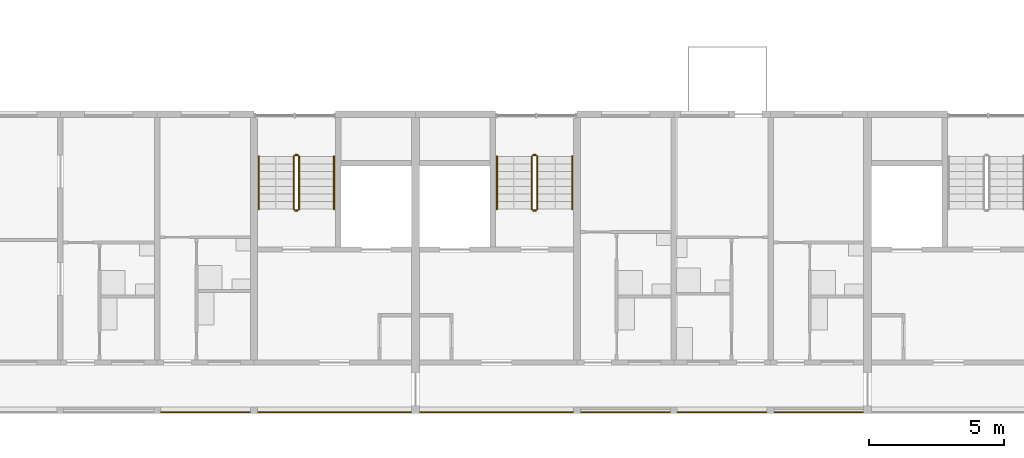
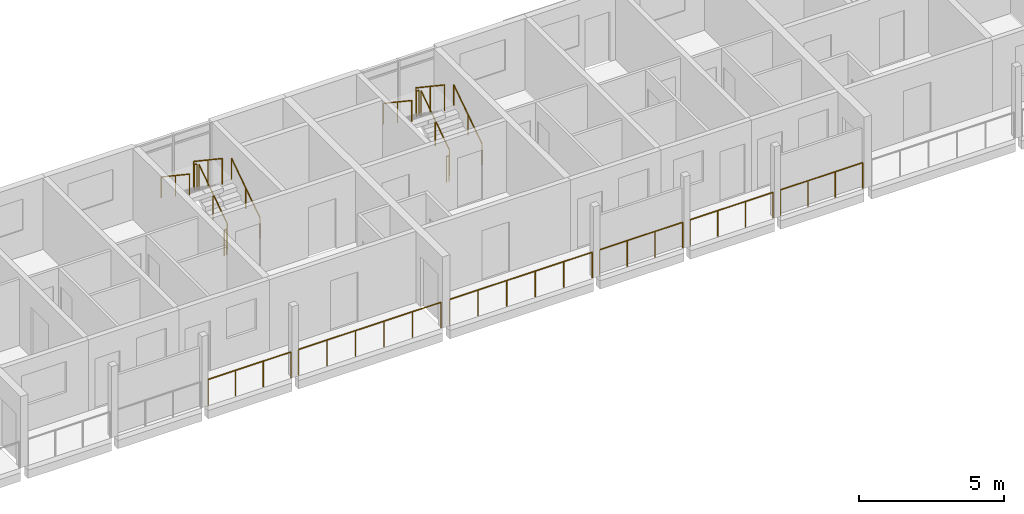
# One storey, part 86 of 93: 18 railings.
"""IFC4 building model written with IfcOpenShell, lengths in metres."""

from ifc_helpers import new_model, si_unit, direction, frame, origin, origin_2d, place, context, subcontext, project, spatial, circle, extrude, material, type_object, element, save


model = new_model("IFC4")

# Units and contexts
model_context = context("Model", 3, precision=1e-05, world=origin(), true_north=direction((0.0, 1.0)))
body_context = subcontext(model_context, "Body", "Model", "MODEL_VIEW")
ifc_project = project(units=[si_unit("LENGTHUNIT", "METRE"), si_unit("AREAUNIT", "SQUARE_METRE"), si_unit("VOLUMEUNIT", "CUBIC_METRE"), si_unit("PLANEANGLEUNIT", "RADIAN"), si_unit("MASSUNIT", "GRAM", prefix="KILO")], contexts=[model_context])

# Site, building, storey
site_placement = place(None, origin())
site = spatial("IfcSite", under=ifc_project, at=site_placement, CompositionType="ELEMENT")
building_placement = place(site_placement, origin())
building = spatial("IfcBuilding", under=site, at=building_placement, Name="Ridgestep Commons", CompositionType="ELEMENT")
storey_placement = place(building_placement, frame((0.0, 0.0, 18.0)))
storey = spatial("IfcBuildingStorey", under=building, at=storey_placement, Name="L06", CompositionType="ELEMENT", Elevation=18.0)

# Railings
ifc_material_1 = material(Name="Structural steel S355JR", Category="steel")
railing_type_1 = type_object("IfcRailingType", Name="Guard 1100", PredefinedType="GUARDRAIL", material=ifc_material_1)
railing_1_placement = place(storey_placement, frame((204.5458984375, 11.800048828125, 0.0)))
element("IfcRailing", 1, at=railing_1_placement, inside=storey, type_object=railing_type_1, Name="Gallery guard D 06.15", PredefinedType="GUARDRAIL", context=body_context, shape_type="SweptSolid", body=[
    extrude(circle(Radius=0.02392578125, at=origin_2d()), frame((0.0, 0.0, 1.076171875), z_axis=(1.0, 0.0, 0.0), x_axis=(0.0, 1.0, 0.0)), (0.0, 0.0, 1.0), 3.30810546875),
    extrude(circle(Radius=0.02099609375, at=origin_2d()), origin(), (0.0, 0.0, 1.0), 1.052001953125),
    extrude(circle(Radius=0.02099609375, at=origin_2d()), frame((1.102783203125, 0.0, 0.0)), (0.0, 0.0, 1.0), 1.052001953125),
    extrude(circle(Radius=0.02099609375, at=origin_2d()), frame((2.205322265625, 0.0, 0.0)), (0.0, 0.0, 1.0), 1.052001953125),
    extrude(circle(Radius=0.02099609375, at=origin_2d()), frame((3.30810546875, 0.0, 0.0)), (0.0, 0.0, 1.0), 1.052001953125),
])
for number, where, name in (
    (2, (208.14599609375, 11.800048828125, 0.0), "Gallery guard D 06.16"),
    (3, (214.1708984375, 11.800048828125, 0.0), "Gallery guard D 06.17"),
):
    element("IfcRailing", number, at=place(storey_placement, frame(where)), inside=storey, type_object=railing_type_1, Name=name, PredefinedType="GUARDRAIL", context=body_context, shape_type="SweptSolid", body=[
        extrude(circle(Radius=0.02392578125, at=origin_2d()), frame((0.0, 0.0, 1.076171875), z_axis=(1.0, 0.0, 0.0), x_axis=(0.0, 1.0, 0.0)), (0.0, 0.0, 1.0), 5.68310546875),
        extrude(circle(Radius=0.02099609375, at=origin_2d()), origin(), (0.0, 0.0, 1.0), 1.052001953125),
        extrude(circle(Radius=0.02099609375, at=origin_2d()), frame((1.13671875, 0.0, 0.0)), (0.0, 0.0, 1.0), 1.052001953125),
        extrude(circle(Radius=0.02099609375, at=origin_2d()), frame((2.273193359375, 0.0, 0.0)), (0.0, 0.0, 1.0), 1.052001953125),
        extrude(circle(Radius=0.02099609375, at=origin_2d()), frame((3.409912109375, 0.0, 0.0)), (0.0, 0.0, 1.0), 1.052001953125),
        extrude(circle(Radius=0.02099609375, at=origin_2d()), frame((4.54638671875, 0.0, 0.0)), (0.0, 0.0, 1.0), 1.052001953125),
        extrude(circle(Radius=0.02099609375, at=origin_2d()), frame((5.68310546875, 0.0, 0.0)), (0.0, 0.0, 1.0), 1.052001953125),
    ])
railing_2_placement = place(storey_placement, frame((220.14599609375, 11.800048828125, 0.0)))
element("IfcRailing", 4, at=railing_2_placement, inside=storey, type_object=railing_type_1, Name="Gallery guard D 06.18", PredefinedType="GUARDRAIL", context=body_context, shape_type="SweptSolid", body=[
    extrude(circle(Radius=0.02392578125, at=origin_2d()), frame((0.0, 0.0, 1.076171875), z_axis=(1.0, 0.0, 0.0), x_axis=(0.0, 1.0, 0.0)), (0.0, 0.0, 1.0), 3.30810546875),
    extrude(circle(Radius=0.02099609375, at=origin_2d()), origin(), (0.0, 0.0, 1.0), 1.052001953125),
    extrude(circle(Radius=0.02099609375, at=origin_2d()), frame((1.102783203125, 0.0, 0.0)), (0.0, 0.0, 1.0), 1.052001953125),
    extrude(circle(Radius=0.02099609375, at=origin_2d()), frame((2.205322265625, 0.0, 0.0)), (0.0, 0.0, 1.0), 1.052001953125),
    extrude(circle(Radius=0.02099609375, at=origin_2d()), frame((3.30810546875, 0.0, 0.0)), (0.0, 0.0, 1.0), 1.052001953125),
])
railing_3_placement = place(storey_placement, frame((223.74609375, 11.800048828125, 0.0)))
element("IfcRailing", 5, at=railing_3_placement, inside=storey, type_object=railing_type_1, Name="Gallery guard D 06.19", PredefinedType="GUARDRAIL", context=body_context, shape_type="SweptSolid", body=[
    extrude(circle(Radius=0.02392578125, at=origin_2d()), frame((0.0, 0.0, 1.076171875), z_axis=(1.0, 0.0, 0.0), x_axis=(0.0, 1.0, 0.0)), (0.0, 0.0, 1.0), 3.307861328125),
    extrude(circle(Radius=0.02099609375, at=origin_2d()), origin(), (0.0, 0.0, 1.0), 1.052001953125),
    extrude(circle(Radius=0.02099609375, at=origin_2d()), frame((1.1025390625, 0.0, 0.0)), (0.0, 0.0, 1.0), 1.052001953125),
    extrude(circle(Radius=0.02099609375, at=origin_2d()), frame((2.205322265625, 0.0, 0.0)), (0.0, 0.0, 1.0), 1.052001953125),
    extrude(circle(Radius=0.02099609375, at=origin_2d()), frame((3.307861328125, 0.0, 0.0)), (0.0, 0.0, 1.0), 1.052001953125),
])
railing_4_placement = place(storey_placement, frame((227.345947265625, 11.800048828125, 0.0)))
element("IfcRailing", 6, at=railing_4_placement, inside=storey, type_object=railing_type_1, Name="Gallery guard D 06.20", PredefinedType="GUARDRAIL", context=body_context, shape_type="SweptSolid", body=[
    extrude(circle(Radius=0.02392578125, at=origin_2d()), frame((0.0, 0.0, 1.076171875), z_axis=(1.0, 0.0, 0.0), x_axis=(0.0, 1.0, 0.0)), (0.0, 0.0, 1.0), 3.282958984375),
    extrude(circle(Radius=0.02099609375, at=origin_2d()), origin(), (0.0, 0.0, 1.0), 1.052001953125),
    extrude(circle(Radius=0.02099609375, at=origin_2d()), frame((1.09423828125, 0.0, 0.0)), (0.0, 0.0, 1.0), 1.052001953125),
    extrude(circle(Radius=0.02099609375, at=origin_2d()), frame((2.188720703125, 0.0, 0.0)), (0.0, 0.0, 1.0), 1.052001953125),
    extrude(circle(Radius=0.02099609375, at=origin_2d()), frame((3.282958984375, 0.0, 0.0)), (0.0, 0.0, 1.0), 1.052001953125),
])
ifc_material_2 = material(Name="Structural steel S355JR", Category="steel")
railing_type_2 = type_object("IfcRailingType", Name="Stair guard 1100", PredefinedType="GUARDRAIL", material=ifc_material_2)
railing_5_placement = place(storey_placement, frame((209.675048828125, 19.35009765625, 0.1875)))
element("IfcRailing", 7, at=railing_5_placement, inside=storey, type_object=railing_type_2, Name="L06 D4C stair guard 1", PredefinedType="GUARDRAIL", context=body_context, shape_type="SweptSolid", body=[
    extrude(circle(Radius=0.02392578125, at=origin_2d()), frame((0.0, 0.0, 1.076171875), z_axis=(0.0, 0.830902050051, 0.556418712142), x_axis=(-1.0, 0.0, 0.0)), (0.0, 0.0, 1.0), 2.35888671875),
    extrude(circle(Radius=0.02099609375, at=origin_2d()), origin(), (0.0, 0.0, 1.0), 1.052001953125),
    extrude(circle(Radius=0.02099609375, at=origin_2d()), frame((0.0, 0.97998046875, 0.65625)), (0.0, 0.0, 1.0), 1.052001953125),
    extrude(circle(Radius=0.02099609375, at=origin_2d()), frame((0.0, 1.9599609375, 1.3125)), (0.0, 0.0, 1.0), 1.052001953125),
])
railing_6_placement = place(storey_placement, frame((209.625, 21.360107421875, 1.5)))
element("IfcRailing", 8, at=railing_6_placement, inside=storey, type_object=railing_type_2, Name="L06 D4C stair guard 2", PredefinedType="GUARDRAIL", context=body_context, shape_type="SweptSolid", body=[
    extrude(circle(Radius=0.02392578125, at=origin_2d()), frame((0.0, 0.0, 1.076171875), z_axis=(-1.0, 0.0, 0.0), x_axis=(0.0, -1.0, 0.0)), (0.0, 0.0, 1.0), 0.10009765625),
    extrude(circle(Radius=0.02099609375, at=origin_2d()), origin(), (0.0, 0.0, 1.0), 1.052001953125),
    extrude(circle(Radius=0.02099609375, at=origin_2d()), frame((-0.10009765625, 0.0, 0.0)), (0.0, 0.0, 1.0), 1.052001953125),
])
railing_7_placement = place(storey_placement, frame((209.47509765625, 21.31005859375, 1.6875)))
element("IfcRailing", 9, at=railing_7_placement, inside=storey, type_object=railing_type_2, Name="L06 D4C stair guard 3", PredefinedType="GUARDRAIL", context=body_context, shape_type="SweptSolid", body=[
    extrude(circle(Radius=0.02392578125, at=origin_2d()), frame((0.0, 0.0, 1.076171875), z_axis=(0.0, -0.830902050051, 0.556418712142), x_axis=(1.0, 0.0, 0.0)), (0.0, 0.0, 1.0), 2.35888671875),
    extrude(circle(Radius=0.02099609375, at=origin_2d()), origin(), (0.0, 0.0, 1.0), 1.052001953125),
    extrude(circle(Radius=0.02099609375, at=origin_2d()), frame((0.0, -0.97998046875, 0.65625)), (0.0, 0.0, 1.0), 1.052001953125),
    extrude(circle(Radius=0.02099609375, at=origin_2d()), frame((0.0, -1.9599609375, 1.3125)), (0.0, 0.0, 1.0), 1.052001953125),
])
railing_8_placement = place(storey_placement, frame((209.625, 19.300048828125, 0.0)))
element("IfcRailing", 10, at=railing_8_placement, inside=storey, type_object=railing_type_2, Name="L06 D4C stair guard 4", PredefinedType="GUARDRAIL", context=body_context, shape_type="SweptSolid", body=[
    extrude(circle(Radius=0.02392578125, at=origin_2d()), frame((0.0, 0.0, 1.076171875), z_axis=(-1.0, 0.0, 0.0), x_axis=(0.0, -1.0, 0.0)), (0.0, 0.0, 1.0), 0.10009765625),
    extrude(circle(Radius=0.02099609375, at=origin_2d()), origin(), (0.0, 0.0, 1.0), 1.052001953125),
    extrude(circle(Radius=0.02099609375, at=origin_2d()), frame((-0.10009765625, 0.0, 0.0)), (0.0, 0.0, 1.0), 1.052001953125),
])
railing_9_placement = place(storey_placement, frame((218.52490234375, 19.35009765625, 0.1875)))
element("IfcRailing", 11, at=railing_9_placement, inside=storey, type_object=railing_type_2, Name="L06 D5C stair guard 1", PredefinedType="GUARDRAIL", context=body_context, shape_type="SweptSolid", body=[
    extrude(circle(Radius=0.02392578125, at=origin_2d()), frame((0.0, 0.0, 1.076171875), z_axis=(0.0, 0.830902050051, 0.556418712142), x_axis=(-1.0, 0.0, 0.0)), (0.0, 0.0, 1.0), 2.35888671875),
    extrude(circle(Radius=0.02099609375, at=origin_2d()), origin(), (0.0, 0.0, 1.0), 1.052001953125),
    extrude(circle(Radius=0.02099609375, at=origin_2d()), frame((0.0, 0.97998046875, 0.65625)), (0.0, 0.0, 1.0), 1.052001953125),
    extrude(circle(Radius=0.02099609375, at=origin_2d()), frame((0.0, 1.9599609375, 1.3125)), (0.0, 0.0, 1.0), 1.052001953125),
])
railing_10_placement = place(storey_placement, frame((218.47509765625, 21.360107421875, 1.5)))
element("IfcRailing", 12, at=railing_10_placement, inside=storey, type_object=railing_type_2, Name="L06 D5C stair guard 2", PredefinedType="GUARDRAIL", context=body_context, shape_type="SweptSolid", body=[
    extrude(circle(Radius=0.02392578125, at=origin_2d()), frame((0.0, 0.0, 1.076171875), z_axis=(-1.0, 0.0, 0.0), x_axis=(0.0, -1.0, 0.0)), (0.0, 0.0, 1.0), 0.10009765625),
    extrude(circle(Radius=0.02099609375, at=origin_2d()), origin(), (0.0, 0.0, 1.0), 1.052001953125),
    extrude(circle(Radius=0.02099609375, at=origin_2d()), frame((-0.10009765625, 0.0, 0.0)), (0.0, 0.0, 1.0), 1.052001953125),
])
railing_11_placement = place(storey_placement, frame((218.324951171875, 21.31005859375, 1.6875)))
element("IfcRailing", 13, at=railing_11_placement, inside=storey, type_object=railing_type_2, Name="L06 D5C stair guard 3", PredefinedType="GUARDRAIL", context=body_context, shape_type="SweptSolid", body=[
    extrude(circle(Radius=0.02392578125, at=origin_2d()), frame((0.0, 0.0, 1.076171875), z_axis=(0.0, -0.830902050051, 0.556418712142), x_axis=(1.0, 0.0, 0.0)), (0.0, 0.0, 1.0), 2.35888671875),
    extrude(circle(Radius=0.02099609375, at=origin_2d()), origin(), (0.0, 0.0, 1.0), 1.052001953125),
    extrude(circle(Radius=0.02099609375, at=origin_2d()), frame((0.0, -0.97998046875, 0.65625)), (0.0, 0.0, 1.0), 1.052001953125),
    extrude(circle(Radius=0.02099609375, at=origin_2d()), frame((0.0, -1.9599609375, 1.3125)), (0.0, 0.0, 1.0), 1.052001953125),
])
railing_12_placement = place(storey_placement, frame((218.47509765625, 19.300048828125, 0.0)))
element("IfcRailing", 14, at=railing_12_placement, inside=storey, type_object=railing_type_2, Name="L06 D5C stair guard 4", PredefinedType="GUARDRAIL", context=body_context, shape_type="SweptSolid", body=[
    extrude(circle(Radius=0.02392578125, at=origin_2d()), frame((0.0, 0.0, 1.076171875), z_axis=(-1.0, 0.0, 0.0), x_axis=(0.0, -1.0, 0.0)), (0.0, 0.0, 1.0), 0.10009765625),
    extrude(circle(Radius=0.02099609375, at=origin_2d()), origin(), (0.0, 0.0, 1.0), 1.052001953125),
    extrude(circle(Radius=0.02099609375, at=origin_2d()), frame((-0.10009765625, 0.0, 0.0)), (0.0, 0.0, 1.0), 1.052001953125),
])
ifc_material_3 = material(Name="Structural steel S355JR", Category="steel")
railing_type_3 = type_object("IfcRailingType", Name="Stair handrail 900", PredefinedType="HANDRAIL", material=ifc_material_3)
railing_13_placement = place(storey_placement, frame((210.97509765625, 19.35009765625, 0.1875)))
element("IfcRailing", 15, at=railing_13_placement, inside=storey, type_object=railing_type_3, Name="L06 D4C stair handrail 1", PredefinedType="HANDRAIL", context=body_context, shape_type="SweptSolid", body=[
    extrude(circle(Radius=0.02392578125, at=origin_2d()), frame((0.0, 0.0, 0.8759765625), z_axis=(0.0, 0.830902050051, 0.556418712142), x_axis=(-1.0, 0.0, 0.0)), (0.0, 0.0, 1.0), 2.35888671875),
    extrude(circle(Radius=0.02099609375, at=origin_2d()), origin(), (0.0, 0.0, 1.0), 0.851806640625),
    extrude(circle(Radius=0.02099609375, at=origin_2d()), frame((0.0, 0.97998046875, 0.65625)), (0.0, 0.0, 1.0), 0.851806640625),
    extrude(circle(Radius=0.02099609375, at=origin_2d()), frame((0.0, 1.9599609375, 1.3125)), (0.0, 0.0, 1.0), 0.851806640625),
])
railing_14_placement = place(storey_placement, frame((208.175048828125, 21.31005859375, 1.6875)))
element("IfcRailing", 16, at=railing_14_placement, inside=storey, type_object=railing_type_3, Name="L06 D4C stair handrail 2", PredefinedType="HANDRAIL", context=body_context, shape_type="SweptSolid", body=[
    extrude(circle(Radius=0.02392578125, at=origin_2d()), frame((0.0, 0.0, 0.8759765625), z_axis=(0.0, -0.830902050051, 0.556418712142), x_axis=(1.0, 0.0, 0.0)), (0.0, 0.0, 1.0), 2.35888671875),
    extrude(circle(Radius=0.02099609375, at=origin_2d()), origin(), (0.0, 0.0, 1.0), 0.851806640625),
    extrude(circle(Radius=0.02099609375, at=origin_2d()), frame((0.0, -0.97998046875, 0.65625)), (0.0, 0.0, 1.0), 0.851806640625),
    extrude(circle(Radius=0.02099609375, at=origin_2d()), frame((0.0, -1.9599609375, 1.3125)), (0.0, 0.0, 1.0), 0.851806640625),
])
railing_15_placement = place(storey_placement, frame((219.824951171875, 19.35009765625, 0.1875)))
element("IfcRailing", 17, at=railing_15_placement, inside=storey, type_object=railing_type_3, Name="L06 D5C stair handrail 1", PredefinedType="HANDRAIL", context=body_context, shape_type="SweptSolid", body=[
    extrude(circle(Radius=0.02392578125, at=origin_2d()), frame((0.0, 0.0, 0.8759765625), z_axis=(0.0, 0.830902050051, 0.556418712142), x_axis=(-1.0, 0.0, 0.0)), (0.0, 0.0, 1.0), 2.35888671875),
    extrude(circle(Radius=0.02099609375, at=origin_2d()), origin(), (0.0, 0.0, 1.0), 0.851806640625),
    extrude(circle(Radius=0.02099609375, at=origin_2d()), frame((0.0, 0.97998046875, 0.65625)), (0.0, 0.0, 1.0), 0.851806640625),
    extrude(circle(Radius=0.02099609375, at=origin_2d()), frame((0.0, 1.9599609375, 1.3125)), (0.0, 0.0, 1.0), 0.851806640625),
])
railing_16_placement = place(storey_placement, frame((217.02490234375, 21.31005859375, 1.6875)))
element("IfcRailing", 18, at=railing_16_placement, inside=storey, type_object=railing_type_3, Name="L06 D5C stair handrail 2", PredefinedType="HANDRAIL", context=body_context, shape_type="SweptSolid", body=[
    extrude(circle(Radius=0.02392578125, at=origin_2d()), frame((0.0, 0.0, 0.8759765625), z_axis=(0.0, -0.830902050051, 0.556418712142), x_axis=(1.0, 0.0, 0.0)), (0.0, 0.0, 1.0), 2.35888671875),
    extrude(circle(Radius=0.02099609375, at=origin_2d()), origin(), (0.0, 0.0, 1.0), 0.851806640625),
    extrude(circle(Radius=0.02099609375, at=origin_2d()), frame((0.0, -0.97998046875, 0.65625)), (0.0, 0.0, 1.0), 0.851806640625),
    extrude(circle(Radius=0.02099609375, at=origin_2d()), frame((0.0, -1.9599609375, 1.3125)), (0.0, 0.0, 1.0), 0.851806640625),
])

save(model, "model.ifc")
